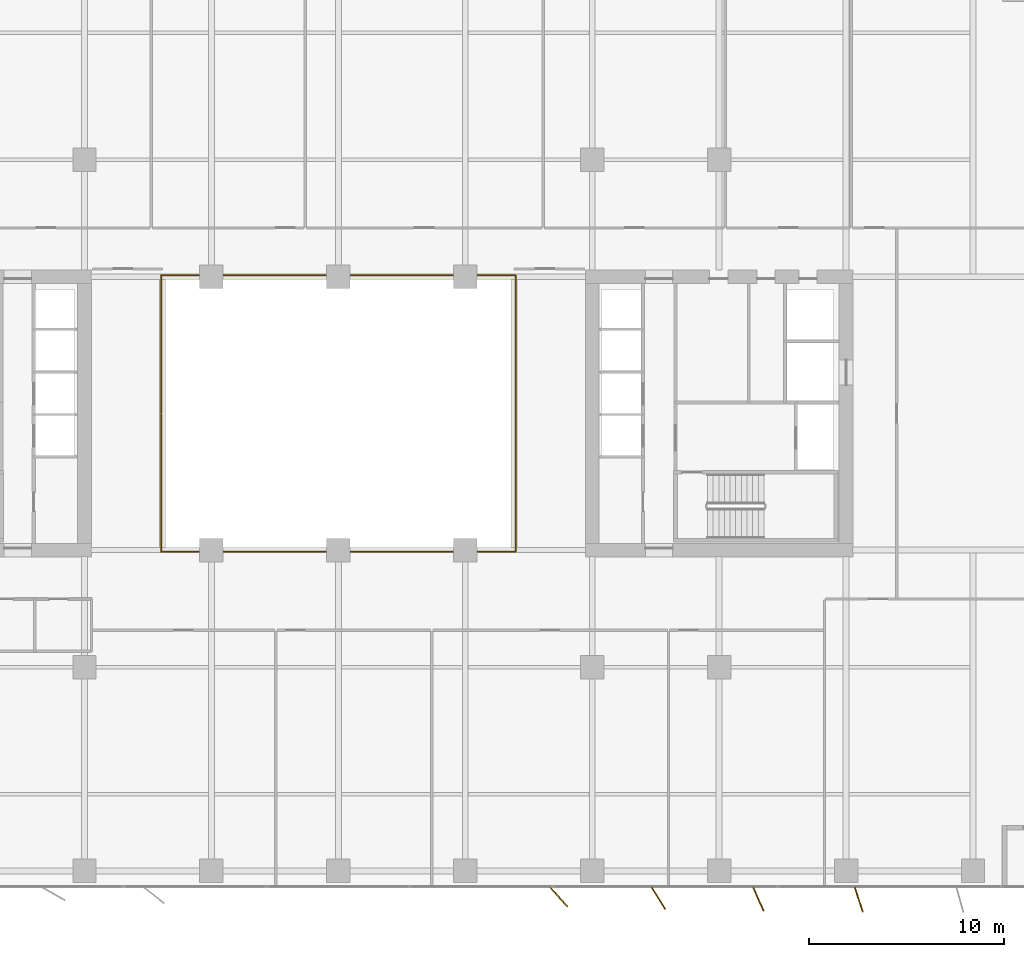
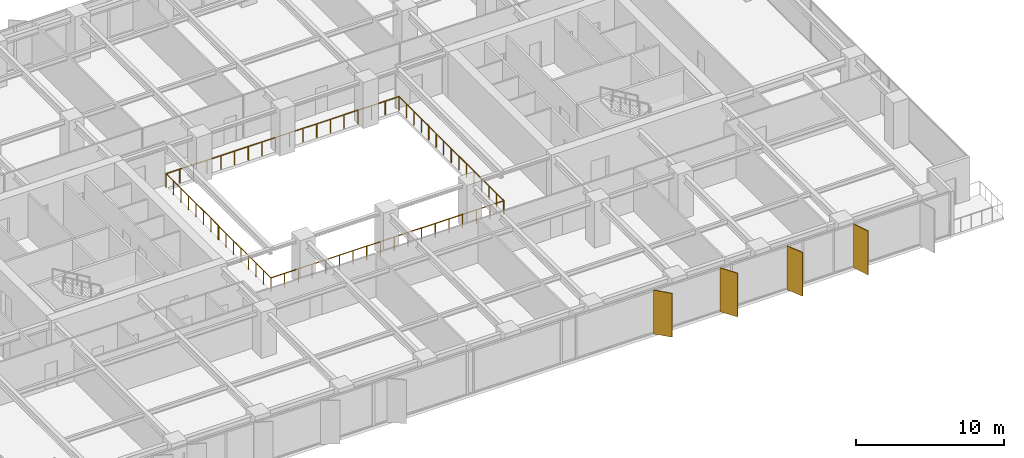
# One storey, part 18 of 20: 4 shading devices, 2 railings.
"""IFC4 building model written with IfcOpenShell, lengths in metres."""

from ifc_helpers import new_model, si_unit, direction, frame, origin, origin_2d, place, context, subcontext, project, spatial, rectangle, circle, extrude, material, layer, layer_set, type_object, element, save


model = new_model("IFC4")

# Units and contexts
model_context = context("Model", 3, precision=1e-05, world=origin(), true_north=direction((0.0, 1.0)))
body_context = subcontext(model_context, "Body", "Model", "MODEL_VIEW")
ifc_project = project(units=[si_unit("LENGTHUNIT", "METRE"), si_unit("AREAUNIT", "SQUARE_METRE"), si_unit("VOLUMEUNIT", "CUBIC_METRE"), si_unit("PLANEANGLEUNIT", "RADIAN"), si_unit("MASSUNIT", "GRAM", prefix="KILO")], contexts=[model_context])

# Site, building, storey
site_placement = place(None, origin())
site = spatial("IfcSite", under=ifc_project, at=site_placement, CompositionType="ELEMENT")
building_placement = place(site_placement, origin())
building = spatial("IfcBuilding", under=site, at=building_placement, Name="Putna Gate Headquarters", CompositionType="ELEMENT")
storey_placement = place(building_placement, frame((0.0, 0.0, 116.39990234375)))
storey = spatial("IfcBuildingStorey", under=building, at=storey_placement, Name="L28", CompositionType="ELEMENT", Elevation=116.39990234375)

# Railings
ifc_material_1 = material(Name="Anodised bronze and laminated glass atrium balustrade", Category="glass")
railing_type = type_object("IfcRailingType", Name="RAIL-ATRIUM-GUARD-1150", PredefinedType="GUARDRAIL", material=ifc_material_1)
railing_1_placement = place(storey_placement, frame((29.919921875, 25.969970703125, 0.0)))
element("IfcRailing", 1, at=railing_1_placement, inside=storey, type_object=railing_type, Name="L28 Central Atrium Glazed Balustrade South", PredefinedType="GUARDRAIL", context=body_context, shape_type="SweptSolid", body=[
    extrude(circle(Radius=0.02392578125, at=origin_2d()), frame((0.0, 0.0, 1.1259765625), z_axis=(0.0, -1.0, 0.0), x_axis=(1.0, 0.0, 0.0)), (0.0, 0.0, 1.0), 7.050048828125),
    extrude(circle(Radius=0.02392578125, at=origin_2d()), frame((0.0, -7.050048828125, 1.1259765625), z_axis=(1.0, 0.0, 0.0), x_axis=(0.0, 1.0, 0.0)), (0.0, 0.0, 1.0), 18.16015625),
    extrude(circle(Radius=0.02392578125, at=origin_2d()), frame((18.16015625, -7.050048828125, 1.1259765625), z_axis=(0.0, 1.0, 0.0), x_axis=(-1.0, 0.0, 0.0)), (0.0, 0.0, 1.0), 7.050048828125),
    extrude(circle(Radius=0.02099609375, at=origin_2d()), origin(), (0.0, 0.0, 1.0), 1.101806640625),
    extrude(circle(Radius=0.02099609375, at=origin_2d()), frame((0.0, -1.007080078125, 0.0)), (0.0, 0.0, 1.0), 1.101806640625),
    extrude(circle(Radius=0.02099609375, at=origin_2d()), frame((0.0, -2.014404296875, 0.0)), (0.0, 0.0, 1.0), 1.101806640625),
    extrude(circle(Radius=0.02099609375, at=origin_2d()), frame((0.0, -3.021484375, 0.0)), (0.0, 0.0, 1.0), 1.101806640625),
    extrude(circle(Radius=0.02099609375, at=origin_2d()), frame((0.0, -4.028564453125, 0.0)), (0.0, 0.0, 1.0), 1.101806640625),
    extrude(circle(Radius=0.02099609375, at=origin_2d()), frame((0.0, -5.03564453125, 0.0)), (0.0, 0.0, 1.0), 1.101806640625),
    extrude(circle(Radius=0.02099609375, at=origin_2d()), frame((0.0, -6.04296875, 0.0)), (0.0, 0.0, 1.0), 1.101806640625),
    extrude(circle(Radius=0.02099609375, at=origin_2d()), frame((0.0, -7.050048828125, 0.0)), (0.0, 0.0, 1.0), 1.101806640625),
    extrude(circle(Radius=0.02099609375, at=origin_2d()), frame((1.068359375, -7.050048828125, 0.0)), (0.0, 0.0, 1.0), 1.101806640625),
    extrude(circle(Radius=0.02099609375, at=origin_2d()), frame((2.136474609375, -7.050048828125, 0.0)), (0.0, 0.0, 1.0), 1.101806640625),
    extrude(circle(Radius=0.02099609375, at=origin_2d()), frame((3.204833984375, -7.050048828125, 0.0)), (0.0, 0.0, 1.0), 1.101806640625),
    extrude(circle(Radius=0.02099609375, at=origin_2d()), frame((4.27294921875, -7.050048828125, 0.0)), (0.0, 0.0, 1.0), 1.101806640625),
    extrude(circle(Radius=0.02099609375, at=origin_2d()), frame((5.34130859375, -7.050048828125, 0.0)), (0.0, 0.0, 1.0), 1.101806640625),
    extrude(circle(Radius=0.02099609375, at=origin_2d()), frame((6.409423828125, -7.050048828125, 0.0)), (0.0, 0.0, 1.0), 1.101806640625),
    extrude(circle(Radius=0.02099609375, at=origin_2d()), frame((7.477783203125, -7.050048828125, 0.0)), (0.0, 0.0, 1.0), 1.101806640625),
    extrude(circle(Radius=0.02099609375, at=origin_2d()), frame((8.5458984375, -7.050048828125, 0.0)), (0.0, 0.0, 1.0), 1.101806640625),
    extrude(circle(Radius=0.02099609375, at=origin_2d()), frame((9.6142578125, -7.050048828125, 0.0)), (0.0, 0.0, 1.0), 1.101806640625),
    extrude(circle(Radius=0.02099609375, at=origin_2d()), frame((10.682373046875, -7.050048828125, 0.0)), (0.0, 0.0, 1.0), 1.101806640625),
    extrude(circle(Radius=0.02099609375, at=origin_2d()), frame((11.750732421875, -7.050048828125, 0.0)), (0.0, 0.0, 1.0), 1.101806640625),
    extrude(circle(Radius=0.02099609375, at=origin_2d()), frame((12.81884765625, -7.050048828125, 0.0)), (0.0, 0.0, 1.0), 1.101806640625),
    extrude(circle(Radius=0.02099609375, at=origin_2d()), frame((13.88720703125, -7.050048828125, 0.0)), (0.0, 0.0, 1.0), 1.101806640625),
    extrude(circle(Radius=0.02099609375, at=origin_2d()), frame((14.955322265625, -7.050048828125, 0.0)), (0.0, 0.0, 1.0), 1.101806640625),
    extrude(circle(Radius=0.02099609375, at=origin_2d()), frame((16.023681640625, -7.050048828125, 0.0)), (0.0, 0.0, 1.0), 1.101806640625),
    extrude(circle(Radius=0.02099609375, at=origin_2d()), frame((17.091796875, -7.050048828125, 0.0)), (0.0, 0.0, 1.0), 1.101806640625),
    extrude(circle(Radius=0.02099609375, at=origin_2d()), frame((18.16015625, -7.050048828125, 0.0)), (0.0, 0.0, 1.0), 1.101806640625),
    extrude(circle(Radius=0.02099609375, at=origin_2d()), frame((18.16015625, -6.04296875, 0.0)), (0.0, 0.0, 1.0), 1.101806640625),
    extrude(circle(Radius=0.02099609375, at=origin_2d()), frame((18.16015625, -5.03564453125, 0.0)), (0.0, 0.0, 1.0), 1.101806640625),
    extrude(circle(Radius=0.02099609375, at=origin_2d()), frame((18.16015625, -4.028564453125, 0.0)), (0.0, 0.0, 1.0), 1.101806640625),
    extrude(circle(Radius=0.02099609375, at=origin_2d()), frame((18.16015625, -3.021484375, 0.0)), (0.0, 0.0, 1.0), 1.101806640625),
    extrude(circle(Radius=0.02099609375, at=origin_2d()), frame((18.16015625, -2.014404296875, 0.0)), (0.0, 0.0, 1.0), 1.101806640625),
    extrude(circle(Radius=0.02099609375, at=origin_2d()), frame((18.16015625, -1.007080078125, 0.0)), (0.0, 0.0, 1.0), 1.101806640625),
    extrude(circle(Radius=0.02099609375, at=origin_2d()), frame((18.16015625, 0.0, 0.0)), (0.0, 0.0, 1.0), 1.101806640625),
])
railing_2_placement = place(storey_placement, frame((48.080078125, 26.030029296875, 0.0)))
element("IfcRailing", 2, at=railing_2_placement, inside=storey, type_object=railing_type, Name="L28 Central Atrium Glazed Balustrade North", PredefinedType="GUARDRAIL", context=body_context, shape_type="SweptSolid", body=[
    extrude(circle(Radius=0.02392578125, at=origin_2d()), frame((0.0, 0.0, 1.1259765625), z_axis=(0.0, 1.0, 0.0), x_axis=(-1.0, 0.0, 0.0)), (0.0, 0.0, 1.0), 7.050048828125),
    extrude(circle(Radius=0.02392578125, at=origin_2d()), frame((0.0, 7.050048828125, 1.1259765625), z_axis=(-1.0, 0.0, 0.0), x_axis=(0.0, -1.0, 0.0)), (0.0, 0.0, 1.0), 18.16015625),
    extrude(circle(Radius=0.02392578125, at=origin_2d()), frame((-18.16015625, 7.050048828125, 1.1259765625), z_axis=(0.0, -1.0, 0.0), x_axis=(1.0, 0.0, 0.0)), (0.0, 0.0, 1.0), 7.050048828125),
    extrude(circle(Radius=0.02099609375, at=origin_2d()), origin(), (0.0, 0.0, 1.0), 1.101806640625),
    extrude(circle(Radius=0.02099609375, at=origin_2d()), frame((0.0, 1.007080078125, 0.0)), (0.0, 0.0, 1.0), 1.101806640625),
    extrude(circle(Radius=0.02099609375, at=origin_2d()), frame((0.0, 2.014404296875, 0.0)), (0.0, 0.0, 1.0), 1.101806640625),
    extrude(circle(Radius=0.02099609375, at=origin_2d()), frame((0.0, 3.021484375, 0.0)), (0.0, 0.0, 1.0), 1.101806640625),
    extrude(circle(Radius=0.02099609375, at=origin_2d()), frame((0.0, 4.028564453125, 0.0)), (0.0, 0.0, 1.0), 1.101806640625),
    extrude(circle(Radius=0.02099609375, at=origin_2d()), frame((0.0, 5.03564453125, 0.0)), (0.0, 0.0, 1.0), 1.101806640625),
    extrude(circle(Radius=0.02099609375, at=origin_2d()), frame((0.0, 6.04296875, 0.0)), (0.0, 0.0, 1.0), 1.101806640625),
    extrude(circle(Radius=0.02099609375, at=origin_2d()), frame((0.0, 7.050048828125, 0.0)), (0.0, 0.0, 1.0), 1.101806640625),
    extrude(circle(Radius=0.02099609375, at=origin_2d()), frame((-1.068359375, 7.050048828125, 0.0)), (0.0, 0.0, 1.0), 1.101806640625),
    extrude(circle(Radius=0.02099609375, at=origin_2d()), frame((-2.136474609375, 7.050048828125, 0.0)), (0.0, 0.0, 1.0), 1.101806640625),
    extrude(circle(Radius=0.02099609375, at=origin_2d()), frame((-3.204833984375, 7.050048828125, 0.0)), (0.0, 0.0, 1.0), 1.101806640625),
    extrude(circle(Radius=0.02099609375, at=origin_2d()), frame((-4.27294921875, 7.050048828125, 0.0)), (0.0, 0.0, 1.0), 1.101806640625),
    extrude(circle(Radius=0.02099609375, at=origin_2d()), frame((-5.34130859375, 7.050048828125, 0.0)), (0.0, 0.0, 1.0), 1.101806640625),
    extrude(circle(Radius=0.02099609375, at=origin_2d()), frame((-6.409423828125, 7.050048828125, 0.0)), (0.0, 0.0, 1.0), 1.101806640625),
    extrude(circle(Radius=0.02099609375, at=origin_2d()), frame((-7.477783203125, 7.050048828125, 0.0)), (0.0, 0.0, 1.0), 1.101806640625),
    extrude(circle(Radius=0.02099609375, at=origin_2d()), frame((-8.5458984375, 7.050048828125, 0.0)), (0.0, 0.0, 1.0), 1.101806640625),
    extrude(circle(Radius=0.02099609375, at=origin_2d()), frame((-9.6142578125, 7.050048828125, 0.0)), (0.0, 0.0, 1.0), 1.101806640625),
    extrude(circle(Radius=0.02099609375, at=origin_2d()), frame((-10.682373046875, 7.050048828125, 0.0)), (0.0, 0.0, 1.0), 1.101806640625),
    extrude(circle(Radius=0.02099609375, at=origin_2d()), frame((-11.750732421875, 7.050048828125, 0.0)), (0.0, 0.0, 1.0), 1.101806640625),
    extrude(circle(Radius=0.02099609375, at=origin_2d()), frame((-12.81884765625, 7.050048828125, 0.0)), (0.0, 0.0, 1.0), 1.101806640625),
    extrude(circle(Radius=0.02099609375, at=origin_2d()), frame((-13.88720703125, 7.050048828125, 0.0)), (0.0, 0.0, 1.0), 1.101806640625),
    extrude(circle(Radius=0.02099609375, at=origin_2d()), frame((-14.955322265625, 7.050048828125, 0.0)), (0.0, 0.0, 1.0), 1.101806640625),
    extrude(circle(Radius=0.02099609375, at=origin_2d()), frame((-16.023681640625, 7.050048828125, 0.0)), (0.0, 0.0, 1.0), 1.101806640625),
    extrude(circle(Radius=0.02099609375, at=origin_2d()), frame((-17.091796875, 7.050048828125, 0.0)), (0.0, 0.0, 1.0), 1.101806640625),
    extrude(circle(Radius=0.02099609375, at=origin_2d()), frame((-18.16015625, 7.050048828125, 0.0)), (0.0, 0.0, 1.0), 1.101806640625),
    extrude(circle(Radius=0.02099609375, at=origin_2d()), frame((-18.16015625, 6.04296875, 0.0)), (0.0, 0.0, 1.0), 1.101806640625),
    extrude(circle(Radius=0.02099609375, at=origin_2d()), frame((-18.16015625, 5.03564453125, 0.0)), (0.0, 0.0, 1.0), 1.101806640625),
    extrude(circle(Radius=0.02099609375, at=origin_2d()), frame((-18.16015625, 4.028564453125, 0.0)), (0.0, 0.0, 1.0), 1.101806640625),
    extrude(circle(Radius=0.02099609375, at=origin_2d()), frame((-18.16015625, 3.021484375, 0.0)), (0.0, 0.0, 1.0), 1.101806640625),
    extrude(circle(Radius=0.02099609375, at=origin_2d()), frame((-18.16015625, 2.014404296875, 0.0)), (0.0, 0.0, 1.0), 1.101806640625),
    extrude(circle(Radius=0.02099609375, at=origin_2d()), frame((-18.16015625, 1.007080078125, 0.0)), (0.0, 0.0, 1.0), 1.101806640625),
    extrude(circle(Radius=0.02099609375, at=origin_2d()), frame((-18.16015625, 0.0, 0.0)), (0.0, 0.0, 1.0), 1.101806640625),
])

# Shading devices
ifc_material_2 = material(Name="Anodised architectural bronze aluminium fin", Category="aluminium")
ifc_layer = layer(ifc_material_2, 0.06494140625)
ifc_layer_set = layer_set([ifc_layer], Name="Anodised architectural bronze aluminium fin")
shading_device_type = type_object("IfcShadingDeviceType", Name="SHADE-BRONZE-FIN-1320", PredefinedType="USERDEFINED", material=ifc_layer_set)
for number, where, z_axis, x_axis, name in (
    (3, (50.29150390625, 1.234619140625, -0.019775390625), (0.0, 0.0, 1.0), (0.669130606359, -0.743144825477, 0.0), "L28 Bronze Vertical Shading Fin S8"),
    (4, (55.400146484375, 1.16552734375, -0.019775390625), (0.0, 0.0, 1.0), (0.530659123936, -0.847585331506, 0.0), "L28 Bronze Vertical Shading Fin S9"),
    (5, (60.514404296875, 1.120361328125, -0.019775390625), (0.0, 0.0, 1.0), (0.400668879095, -0.916222925562, 0.0), "L28 Bronze Vertical Shading Fin S10"),
    (6, (65.65380859375, 1.09716796875, -0.019775390625), (0.0, 0.0, 1.0), (0.308684994204, -0.951164325631, 0.0), "L28 Bronze Vertical Shading Fin S11"),
):
    element("IfcShadingDevice", number, at=place(storey_placement, frame(where, z_axis=z_axis, x_axis=x_axis)), inside=storey, type_object=shading_device_type, Name=name, ObjectType="FIN", PredefinedType="USERDEFINED", context=body_context, shape_type="SweptSolid", body=[
        extrude(rectangle(XDim=1.320068359375, YDim=0.06494140625, at=origin_2d()), origin(), (0.0, 0.0, 1.0), 3.60498046875),
    ])

save(model, "model.ifc")
